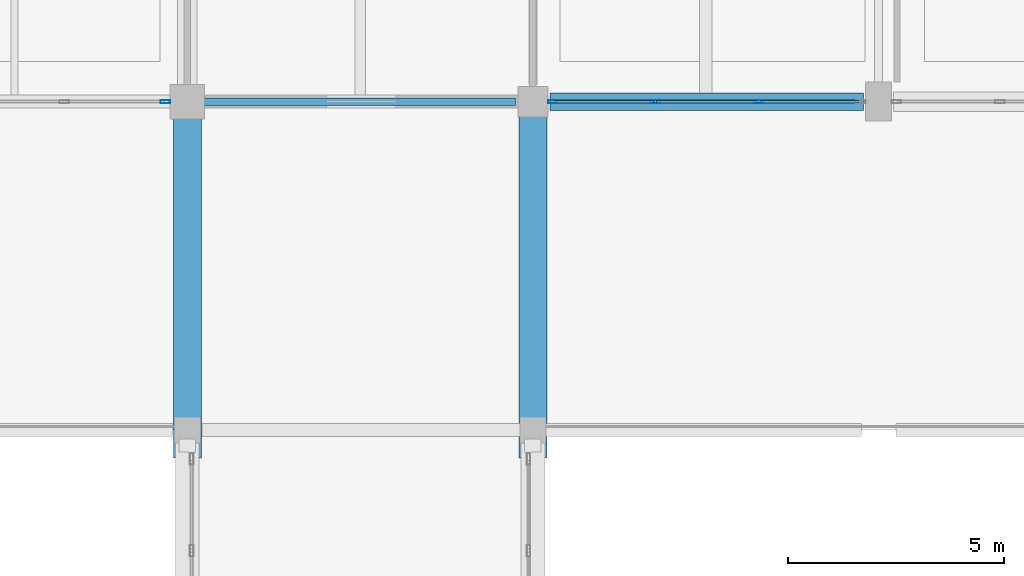
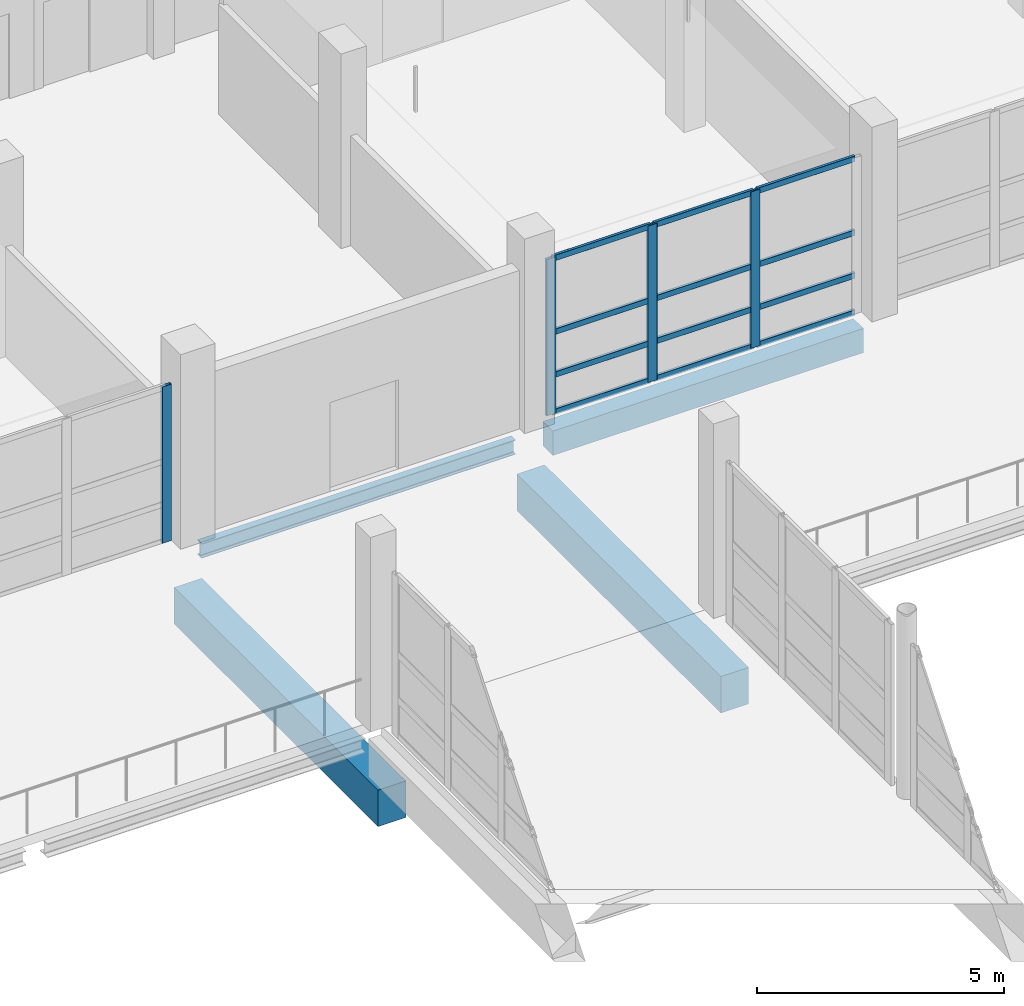
# One storey, part 65 of 141: 16 members, 4 beams, 2 elements without a shape of their own.
"""IFC4 building model written with IfcOpenShell, lengths in metres."""

from ifc_helpers import new_model, si_unit, direction, frame, origin, origin_2d, place, context, subcontext, project, spatial, rectangle, hollow_rectangle, i_section, extrude, material, material_profile, profile_set, type_object, element, aggregate, save


model = new_model("IFC4")

# Units and contexts
model_context = context("Model", 3, precision=1e-05, world=origin(), true_north=direction((0.0, 1.0)))
body_context = subcontext(model_context, "Body", "Model", "MODEL_VIEW")
ifc_project = project(units=[si_unit("LENGTHUNIT", "METRE"), si_unit("AREAUNIT", "SQUARE_METRE"), si_unit("VOLUMEUNIT", "CUBIC_METRE"), si_unit("PLANEANGLEUNIT", "RADIAN"), si_unit("MASSUNIT", "GRAM", prefix="KILO")], contexts=[model_context])

# Site, building, storey
site_placement = place(None, origin())
site = spatial("IfcSite", under=ifc_project, at=site_placement, CompositionType="ELEMENT")
building_placement = place(site_placement, origin())
building = spatial("IfcBuilding", under=site, at=building_placement, Name="Khelvaren Railside Concert Hall", CompositionType="ELEMENT")
storey_placement = place(building_placement, frame((0.0, 0.0, 10.199951171875)))
storey = spatial("IfcBuildingStorey", under=building, at=storey_placement, Name="L02", CompositionType="ELEMENT", Elevation=10.199951171875)

# Beams
ifc_material_1 = material(Name="Concrete C40/50", Category="concrete")
ifc_material_profile_1 = material_profile(ifc_material_1, rectangle(XDim=0.64990234375, YDim=0.89990234375, at=origin_2d()), Name="RCB 650x900")
ifc_profile_set_1 = profile_set([ifc_material_profile_1], Name="Concrete C40/50")
beam_type_1 = type_object("IfcBeamType", Name="BM18", PredefinedType="BEAM", material=ifc_profile_set_1)
for number, where, z_axis, x_axis, name in (
    (1, (160.0, 82.949951171875, -1.659912109375), (0.0, 1.0, 0.0), (-1.0, 0.0, 0.0), "East Backstage Artist Link Bridge L02 Seismic Corbel Seat 1"),
    (2, (168.0, 82.949951171875, -1.659912109375), (0.0, 1.0, 0.0), (-1.0, 0.0, 0.0), "East Backstage Artist Link Bridge L02 Seismic Corbel Seat 2"),
):
    element("IfcBeam", number, at=place(storey_placement, frame(where, z_axis=z_axis, x_axis=x_axis)), inside=storey, type_object=beam_type_1, Name=name, PredefinedType="BEAM", context=body_context, shape_type="SweptSolid", body=[
        extrude(rectangle(XDim=0.64990234375, YDim=0.89990234375, at=origin_2d()), origin(), (0.0, 0.0, 1.0), 8.25),
    ])

# Curtain wall, member
ifc_material_2 = material(Name="Double-glazed clear foyer glass", Category="glass")
curtain_wall_type_1 = type_object("IfcCurtainWallType", Name="CW68", PredefinedType="USERDEFINED", material=ifc_material_2)
curtain_wall_1_placement = place(storey_placement, origin())
curtain_wall_1 = element("IfcCurtainWall", 3, at=curtain_wall_1_placement, inside=storey, type_object=curtain_wall_type_1, Name="Unitised Curtain Wall CW-V5-L02-S-152", ObjectType="UNITISED CURTAIN WALL", PredefinedType="USERDEFINED")
ifc_material_3 = material(Name="Anodised architectural aluminium 6063-T6", Category="aluminium")
ifc_material_profile_2 = material_profile(ifc_material_3, hollow_rectangle(XDim=0.074951171875, YDim=0.219970703125, WallThickness=0.0048828125, InnerFilletRadius=0.0029296875, OuterFilletRadius=0.0048828125, at=origin_2d()), Name="CWM 75x220x5")
ifc_profile_set_2 = profile_set([ifc_material_profile_2], Name="Anodised architectural aluminium 6063-T6")
member_type_1 = type_object("IfcMemberType", Name="CWM13", PredefinedType="MULLION", material=ifc_profile_set_2)
member_1_placement = place(storey_placement, frame((159.489990234375, 91.199951171875, 0.0), z_axis=(0.0, 0.0, 1.0), x_axis=(0.0, -1.0, 0.0)))
member_1 = element("IfcMember", 4, at=member_1_placement, type_object=member_type_1, Name="CW68 mullion 1", PredefinedType="MULLION", context=body_context, shape_type="SweptSolid", body=[
    extrude(hollow_rectangle(XDim=0.074951171875, YDim=0.219970703125, WallThickness=0.0048828125, InnerFilletRadius=0.0029296875, OuterFilletRadius=0.0048828125, at=origin_2d()), origin(), (0.0, 0.0, 1.0), 3.860107421875),
])
aggregate(curtain_wall_1, [member_1])

# Curtain wall, members
curtain_wall_type_2 = type_object("IfcCurtainWallType", Name="CW70", PredefinedType="USERDEFINED", material=ifc_material_2)
curtain_wall_2_placement = place(storey_placement, origin())
curtain_wall_2 = element("IfcCurtainWall", 5, at=curtain_wall_2_placement, inside=storey, type_object=curtain_wall_type_2, Name="Unitised Curtain Wall CW-V5-L02-S-168", ObjectType="UNITISED CURTAIN WALL", PredefinedType="USERDEFINED")
member_2_placement = place(storey_placement, frame((173.225830078125, 91.199951171875, 0.0), z_axis=(0.0, 0.0, 1.0), x_axis=(0.0, -1.0, 0.0)))
member_2 = element("IfcMember", 6, at=member_2_placement, type_object=member_type_1, Name="CW70 mullion 2", PredefinedType="MULLION", context=body_context, shape_type="SweptSolid", body=[
    extrude(hollow_rectangle(XDim=0.074951171875, YDim=0.219970703125, WallThickness=0.0048828125, InnerFilletRadius=0.0029296875, OuterFilletRadius=0.0048828125, at=origin_2d()), origin(), (0.0, 0.0, 1.0), 3.860107421875),
])
member_3_placement = place(storey_placement, frame((170.82421875, 91.199951171875, 0.0), z_axis=(0.0, 0.0, 1.0), x_axis=(0.0, -1.0, 0.0)))
member_3 = element("IfcMember", 7, at=member_3_placement, type_object=member_type_1, Name="CW70 mullion 3", PredefinedType="MULLION", context=body_context, shape_type="SweptSolid", body=[
    extrude(hollow_rectangle(XDim=0.074951171875, YDim=0.219970703125, WallThickness=0.0048828125, InnerFilletRadius=0.0029296875, OuterFilletRadius=0.0048828125, at=origin_2d()), origin(), (0.0, 0.0, 1.0), 3.860107421875),
])
member_4_placement = place(storey_placement, frame((168.4599609375, 91.199951171875, 0.0), z_axis=(0.0, 0.0, 1.0), x_axis=(0.0, -1.0, 0.0)))
member_4 = element("IfcMember", 8, at=member_4_placement, type_object=member_type_1, Name="CW70 mullion 4", PredefinedType="MULLION", context=body_context, shape_type="SweptSolid", body=[
    extrude(hollow_rectangle(XDim=0.074951171875, YDim=0.219970703125, WallThickness=0.0048828125, InnerFilletRadius=0.0029296875, OuterFilletRadius=0.0048828125, at=origin_2d()), origin(), (0.0, 0.0, 1.0), 3.860107421875),
])
ifc_material_profile_3 = material_profile(ifc_material_3, hollow_rectangle(XDim=0.06494140625, YDim=0.139892578125, WallThickness=0.00390625, InnerFilletRadius=0.001953125, OuterFilletRadius=0.00390625, at=origin_2d()), Name="CWT 65x140x4")
ifc_profile_set_3 = profile_set([ifc_material_profile_3], Name="Anodised architectural aluminium 6063-T6")
member_type_2 = type_object("IfcMemberType", Name="CWT72", PredefinedType="USERDEFINED", material=ifc_profile_set_3)
member_5_placement = place(storey_placement, frame((175.552490234375, 91.199951171875, 0.032470703125), z_axis=(-1.0, 0.0, 0.0), x_axis=(0.0, -1.0, 0.0)))
member_5 = element("IfcMember", 9, at=member_5_placement, type_object=member_type_2, Name="CW70 transom 1.1", ObjectType="TRANSOM", PredefinedType="USERDEFINED", context=body_context, shape_type="SweptSolid", body=[
    extrude(hollow_rectangle(XDim=0.06494140625, YDim=0.139892578125, WallThickness=0.00390625, InnerFilletRadius=0.001953125, OuterFilletRadius=0.00390625, at=origin_2d()), origin(), (0.0, 0.0, 1.0), 2.2890625),
])
member_6_placement = place(storey_placement, frame((175.552490234375, 91.199951171875, 0.949951171875), z_axis=(-1.0, 0.0, 0.0), x_axis=(0.0, -1.0, 0.0)))
member_6 = element("IfcMember", 10, at=member_6_placement, type_object=member_type_2, Name="CW70 transom 1.2", ObjectType="TRANSOM", PredefinedType="USERDEFINED", context=body_context, shape_type="SweptSolid", body=[
    extrude(hollow_rectangle(XDim=0.06494140625, YDim=0.139892578125, WallThickness=0.00390625, InnerFilletRadius=0.001953125, OuterFilletRadius=0.00390625, at=origin_2d()), origin(), (0.0, 0.0, 1.0), 2.2890625),
])
member_7_placement = place(storey_placement, frame((175.552490234375, 91.199951171875, 2.00732421875), z_axis=(-1.0, 0.0, 0.0), x_axis=(0.0, -1.0, 0.0)))
member_7 = element("IfcMember", 11, at=member_7_placement, type_object=member_type_2, Name="CW70 transom 1.3", ObjectType="TRANSOM", PredefinedType="USERDEFINED", context=body_context, shape_type="SweptSolid", body=[
    extrude(hollow_rectangle(XDim=0.06494140625, YDim=0.139892578125, WallThickness=0.00390625, InnerFilletRadius=0.001953125, OuterFilletRadius=0.00390625, at=origin_2d()), origin(), (0.0, 0.0, 1.0), 2.2890625),
])
member_8_placement = place(storey_placement, frame((175.552490234375, 91.199951171875, 3.82763671875), z_axis=(-1.0, 0.0, 0.0), x_axis=(0.0, -1.0, 0.0)))
member_8 = element("IfcMember", 12, at=member_8_placement, type_object=member_type_2, Name="CW70 transom 1.4", ObjectType="TRANSOM", PredefinedType="USERDEFINED", context=body_context, shape_type="SweptSolid", body=[
    extrude(hollow_rectangle(XDim=0.06494140625, YDim=0.139892578125, WallThickness=0.00390625, InnerFilletRadius=0.001953125, OuterFilletRadius=0.00390625, at=origin_2d()), origin(), (0.0, 0.0, 1.0), 2.2890625),
])
member_9_placement = place(storey_placement, frame((173.188232421875, 91.199951171875, 0.032470703125), z_axis=(-1.0, 0.0, 0.0), x_axis=(0.0, -1.0, 0.0)))
member_9 = element("IfcMember", 13, at=member_9_placement, type_object=member_type_2, Name="CW70 transom 2.1", ObjectType="TRANSOM", PredefinedType="USERDEFINED", context=body_context, shape_type="SweptSolid", body=[
    extrude(hollow_rectangle(XDim=0.06494140625, YDim=0.139892578125, WallThickness=0.00390625, InnerFilletRadius=0.001953125, OuterFilletRadius=0.00390625, at=origin_2d()), origin(), (0.0, 0.0, 1.0), 2.32666015625),
])
member_10_placement = place(storey_placement, frame((173.188232421875, 91.199951171875, 0.949951171875), z_axis=(-1.0, 0.0, 0.0), x_axis=(0.0, -1.0, 0.0)))
member_10 = element("IfcMember", 14, at=member_10_placement, type_object=member_type_2, Name="CW70 transom 2.2", ObjectType="TRANSOM", PredefinedType="USERDEFINED", context=body_context, shape_type="SweptSolid", body=[
    extrude(hollow_rectangle(XDim=0.06494140625, YDim=0.139892578125, WallThickness=0.00390625, InnerFilletRadius=0.001953125, OuterFilletRadius=0.00390625, at=origin_2d()), origin(), (0.0, 0.0, 1.0), 2.32666015625),
])
member_11_placement = place(storey_placement, frame((173.188232421875, 91.199951171875, 2.00732421875), z_axis=(-1.0, 0.0, 0.0), x_axis=(0.0, -1.0, 0.0)))
member_11 = element("IfcMember", 15, at=member_11_placement, type_object=member_type_2, Name="CW70 transom 2.3", ObjectType="TRANSOM", PredefinedType="USERDEFINED", context=body_context, shape_type="SweptSolid", body=[
    extrude(hollow_rectangle(XDim=0.06494140625, YDim=0.139892578125, WallThickness=0.00390625, InnerFilletRadius=0.001953125, OuterFilletRadius=0.00390625, at=origin_2d()), origin(), (0.0, 0.0, 1.0), 2.32666015625),
])
member_12_placement = place(storey_placement, frame((173.188232421875, 91.199951171875, 3.82763671875), z_axis=(-1.0, 0.0, 0.0), x_axis=(0.0, -1.0, 0.0)))
member_12 = element("IfcMember", 16, at=member_12_placement, type_object=member_type_2, Name="CW70 transom 2.4", ObjectType="TRANSOM", PredefinedType="USERDEFINED", context=body_context, shape_type="SweptSolid", body=[
    extrude(hollow_rectangle(XDim=0.06494140625, YDim=0.139892578125, WallThickness=0.00390625, InnerFilletRadius=0.001953125, OuterFilletRadius=0.00390625, at=origin_2d()), origin(), (0.0, 0.0, 1.0), 2.32666015625),
])
member_13_placement = place(storey_placement, frame((170.78662109375, 91.199951171875, 0.032470703125), z_axis=(-1.0, 0.0, 0.0), x_axis=(0.0, -1.0, 0.0)))
member_13 = element("IfcMember", 17, at=member_13_placement, type_object=member_type_2, Name="CW70 transom 3.1", ObjectType="TRANSOM", PredefinedType="USERDEFINED", context=body_context, shape_type="SweptSolid", body=[
    extrude(hollow_rectangle(XDim=0.06494140625, YDim=0.139892578125, WallThickness=0.00390625, InnerFilletRadius=0.001953125, OuterFilletRadius=0.00390625, at=origin_2d()), origin(), (0.0, 0.0, 1.0), 2.2890625),
])
member_14_placement = place(storey_placement, frame((170.78662109375, 91.199951171875, 0.949951171875), z_axis=(-1.0, 0.0, 0.0), x_axis=(0.0, -1.0, 0.0)))
member_14 = element("IfcMember", 18, at=member_14_placement, type_object=member_type_2, Name="CW70 transom 3.2", ObjectType="TRANSOM", PredefinedType="USERDEFINED", context=body_context, shape_type="SweptSolid", body=[
    extrude(hollow_rectangle(XDim=0.06494140625, YDim=0.139892578125, WallThickness=0.00390625, InnerFilletRadius=0.001953125, OuterFilletRadius=0.00390625, at=origin_2d()), origin(), (0.0, 0.0, 1.0), 2.2890625),
])
member_15_placement = place(storey_placement, frame((170.78662109375, 91.199951171875, 2.00732421875), z_axis=(-1.0, 0.0, 0.0), x_axis=(0.0, -1.0, 0.0)))
member_15 = element("IfcMember", 19, at=member_15_placement, type_object=member_type_2, Name="CW70 transom 3.3", ObjectType="TRANSOM", PredefinedType="USERDEFINED", context=body_context, shape_type="SweptSolid", body=[
    extrude(hollow_rectangle(XDim=0.06494140625, YDim=0.139892578125, WallThickness=0.00390625, InnerFilletRadius=0.001953125, OuterFilletRadius=0.00390625, at=origin_2d()), origin(), (0.0, 0.0, 1.0), 2.2890625),
])
member_16_placement = place(storey_placement, frame((170.78662109375, 91.199951171875, 3.82763671875), z_axis=(-1.0, 0.0, 0.0), x_axis=(0.0, -1.0, 0.0)))
member_16 = element("IfcMember", 20, at=member_16_placement, type_object=member_type_2, Name="CW70 transom 3.4", ObjectType="TRANSOM", PredefinedType="USERDEFINED", context=body_context, shape_type="SweptSolid", body=[
    extrude(hollow_rectangle(XDim=0.06494140625, YDim=0.139892578125, WallThickness=0.00390625, InnerFilletRadius=0.001953125, OuterFilletRadius=0.00390625, at=origin_2d()), origin(), (0.0, 0.0, 1.0), 2.2890625),
])
aggregate(curtain_wall_2, [member_2, member_3, member_4, member_5, member_6, member_7, member_8, member_9, member_10, member_11, member_12, member_13, member_14, member_15, member_16])

# Beams
ifc_material_4 = material(Name="Steel S355", Category="steel")
ifc_material_profile_4 = material_profile(ifc_material_4, i_section(OverallWidth=0.169921875, OverallDepth=0.360107421875, WebThickness=0.008056640625, FlangeThickness=0.0126953125, FilletRadius=0.01806640625, at=origin_2d()), Name="IPE 360")
ifc_profile_set_4 = profile_set([ifc_material_profile_4], Name="Steel S355")
beam_type_2 = type_object("IfcBeamType", Name="SP74", PredefinedType="SPANDREL", material=ifc_profile_set_4)
beam_1_placement = place(storey_placement, frame((160.27294921875, 91.199951171875, -0.469970703125), z_axis=(1.0, 0.0, 0.0), x_axis=(0.0, 1.0, 0.0)))
element("IfcBeam", 21, at=beam_1_placement, inside=storey, type_object=beam_type_2, Name="V5 L02 Spandrel X2.5", PredefinedType="SPANDREL", context=body_context, shape_type="SweptSolid", body=[
    extrude(i_section(OverallWidth=0.169921875, OverallDepth=0.360107421875, WebThickness=0.008056640625, FlangeThickness=0.0126953125, FilletRadius=0.01806640625, at=origin_2d()), origin(), (0.0, 0.0, 1.0), 7.3271484375),
])
ifc_material_profile_5 = material_profile(ifc_material_1, rectangle(XDim=0.39990234375, YDim=0.60009765625, at=origin_2d()), Name="RCB 400x600")
ifc_profile_set_5 = profile_set([ifc_material_profile_5], Name="Concrete C40/50")
beam_type_3 = type_object("IfcBeamType", Name="SP75", PredefinedType="SPANDREL", material=ifc_profile_set_5)
beam_2_placement = place(storey_placement, frame((168.39990234375, 91.199951171875, -0.58984375), z_axis=(1.0, 0.0, 0.0), x_axis=(0.0, 1.0, 0.0)))
element("IfcBeam", 22, at=beam_2_placement, inside=storey, type_object=beam_type_3, Name="V5 L02 Spandrel X2.6", PredefinedType="SPANDREL", context=body_context, shape_type="SweptSolid", body=[
    extrude(rectangle(XDim=0.39990234375, YDim=0.60009765625, at=origin_2d()), origin(), (0.0, 0.0, 1.0), 7.25),
])

save(model, "model.ifc")
